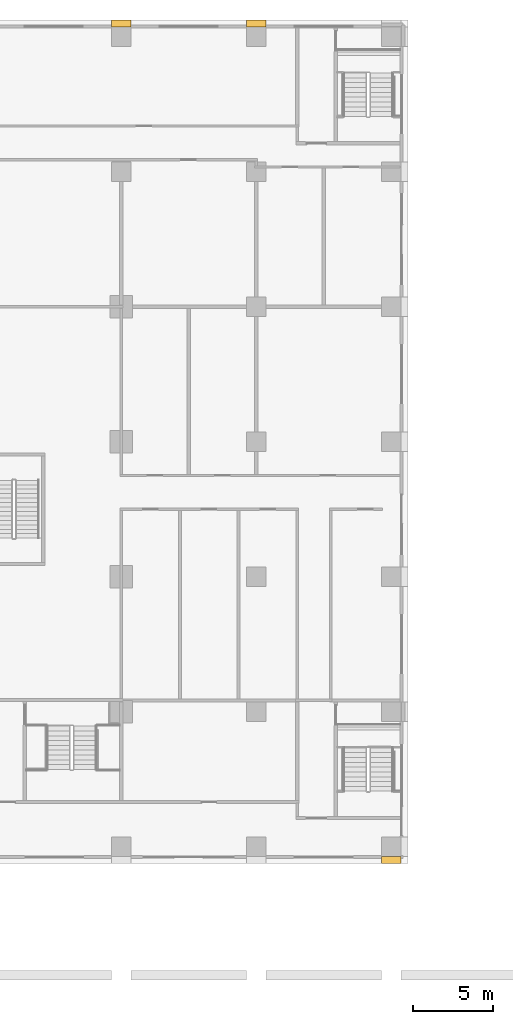
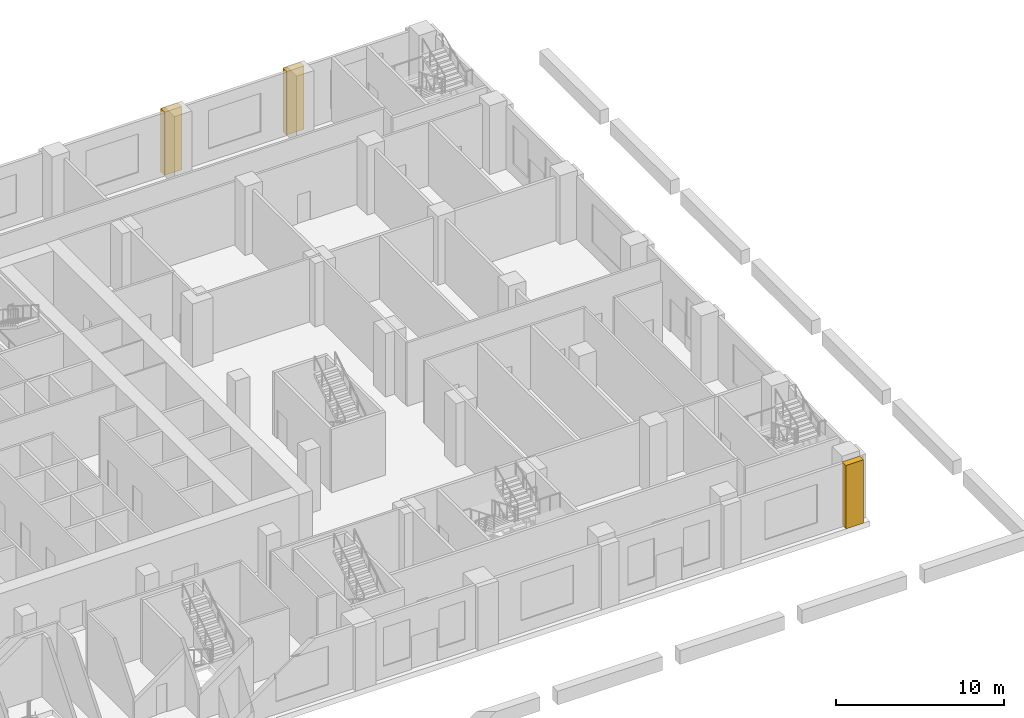
# One storey, part 19 of 21: 3 coverings.
"""IFC4 building model written with IfcOpenShell, lengths in metres."""

from ifc_helpers import new_model, si_unit, direction, frame, origin, place, context, subcontext, project, spatial, polyline, outline, extrude, material, type_object, element, save


model = new_model("IFC4")

# Units and contexts
model_context = context("Model", 3, precision=1e-05, world=origin(), true_north=direction((0.0, 1.0)))
body_context = subcontext(model_context, "Body", "Model", "MODEL_VIEW")
ifc_project = project(units=[si_unit("LENGTHUNIT", "METRE"), si_unit("AREAUNIT", "SQUARE_METRE"), si_unit("VOLUMEUNIT", "CUBIC_METRE"), si_unit("PLANEANGLEUNIT", "RADIAN"), si_unit("MASSUNIT", "GRAM", prefix="KILO")], contexts=[model_context])

# Site, building, storey
site_placement = place(None, origin())
site = spatial("IfcSite", under=ifc_project, at=site_placement, CompositionType="ELEMENT")
building_placement = place(site_placement, origin())
building = spatial("IfcBuilding", under=site, at=building_placement, Name="Vermilion Ogive Tower", CompositionType="ELEMENT")
storey_placement = place(building_placement, frame((0.0, 0.0, 25.0)))
storey = spatial("IfcBuildingStorey", under=building, at=storey_placement, Name="L04", CompositionType="ELEMENT", Elevation=25.0)

# Coverings
ifc_material = material(Name="Stone cladding", Category="masonry")
covering_type = type_object("IfcCoveringType", Name="Stone pier", PredefinedType="CLADDING", material=ifc_material)
covering_1_placement = place(storey_placement, origin())
element("IfcCovering", 1, at=covering_1_placement, inside=storey, type_object=covering_type, Name="Stone pier P+252+294", PredefinedType="CLADDING", context=body_context, shape_type="SweptSolid", body=[
    extrude(outline(polyline([(24.60009765625, 30.449951171875), (25.800048828125, 30.449951171875), (25.800048828125, 30.0), (24.60009765625, 30.0), (24.60009765625, 30.449951171875)])), origin(), (0.0, 0.0, 1.0), 4.60009765625),
])
covering_2_placement = place(storey_placement, origin())
element("IfcCovering", 2, at=covering_2_placement, inside=storey, type_object=covering_type, Name="Stone pier P+336+294", PredefinedType="CLADDING", context=body_context, shape_type="SweptSolid", body=[
    extrude(outline(polyline([(33.0, 30.449951171875), (34.199951171875, 30.449951171875), (34.199951171875, 30.0), (33.0, 30.0), (33.0, 30.449951171875)])), origin(), (0.0, 0.0, 1.0), 4.60009765625),
])
covering_3_placement = place(storey_placement, origin())
element("IfcCovering", 3, at=covering_3_placement, inside=storey, type_object=covering_type, Name="Stone pier P+420-210S", PredefinedType="CLADDING", context=body_context, shape_type="SweptSolid", body=[
    extrude(outline(polyline([(42.60009765625, -22.050048828125), (41.39990234375, -22.050048828125), (41.39990234375, -21.60009765625), (42.60009765625, -21.60009765625), (42.60009765625, -22.050048828125)])), origin(), (0.0, 0.0, 1.0), 4.60009765625),
])

save(model, "model.ifc")
